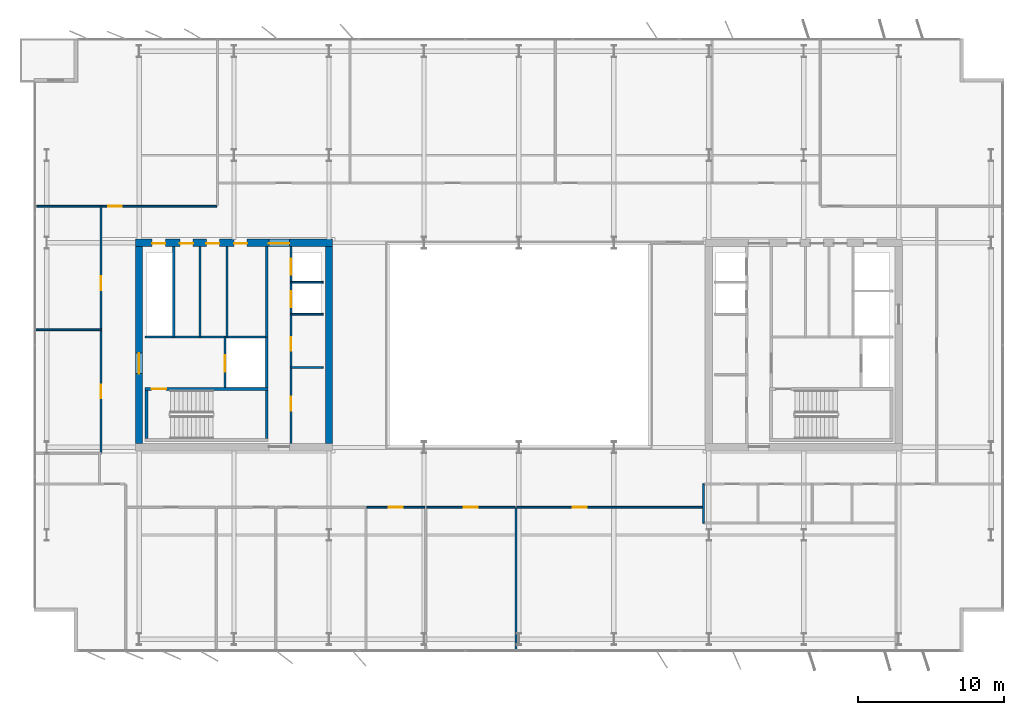
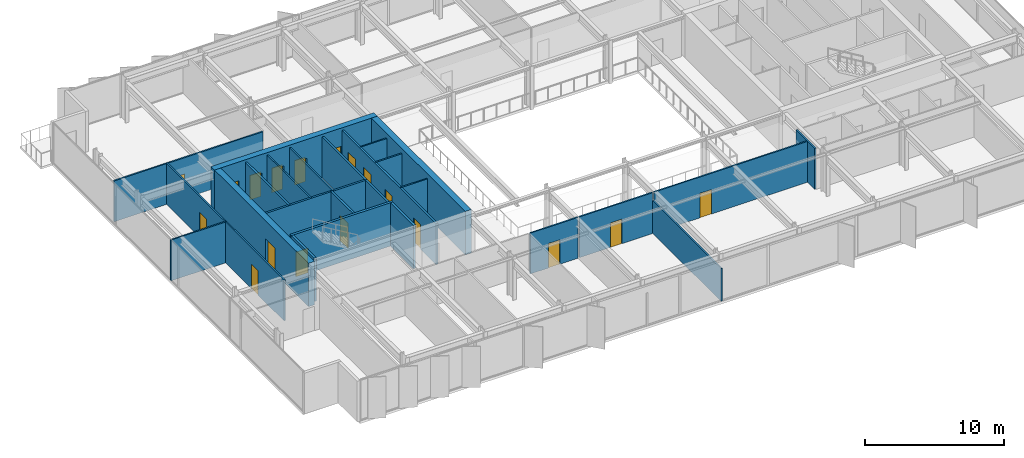
# One storey, part 17 of 23: 26 walls, 18 doors, 18 openings.
"""IFC4 building model written with IfcOpenShell, lengths in metres."""

from ifc_helpers import new_model, si_unit, direction, frame, frame_2d, origin, place, context, subcontext, project, spatial, rectangle, extrude, material, layer, layer_set, type_object, element, fill, save


model = new_model("IFC4")

# Units and contexts
model_context = context("Model", 3, precision=1e-05, world=origin(), true_north=direction((0.0, 1.0)))
body_context = subcontext(model_context, "Body", "Model", "MODEL_VIEW")
ifc_project = project(units=[si_unit("LENGTHUNIT", "METRE"), si_unit("AREAUNIT", "SQUARE_METRE"), si_unit("VOLUMEUNIT", "CUBIC_METRE"), si_unit("PLANEANGLEUNIT", "RADIAN"), si_unit("MASSUNIT", "GRAM", prefix="KILO")], contexts=[model_context])

# Site, building, storey
site_placement = place(None, origin())
site = spatial("IfcSite", under=ifc_project, at=site_placement, CompositionType="ELEMENT")
building_placement = place(site_placement, origin())
building = spatial("IfcBuilding", under=site, at=building_placement, Name="Putna Gate Headquarters", CompositionType="ELEMENT")
storey_placement = place(building_placement, frame((0.0, 0.0, 213.800048828125)))
storey = spatial("IfcBuildingStorey", under=building, at=storey_placement, Name="L53", CompositionType="ELEMENT", Elevation=213.800048828125)

# Wall, openings, doors
ifc_material_1 = material(Name="Concrete C50/60", Category="concrete")
ifc_layer_1 = layer(ifc_material_1, 0.5)
ifc_layer_set_1 = layer_set([ifc_layer_1], Name="Concrete C50/60")
wall_type_1 = type_object("IfcWallType", Name="WALL-CORE-500", PredefinedType="SHEAR", material=ifc_layer_set_1)
wall_1_placement = place(storey_placement, frame((12.75, 33.0, 0.0), z_axis=(0.0, 0.0, 1.0), x_axis=(1.0, 0.0, 0.0)))
wall_1 = element("IfcWall", 1, at=wall_1_placement, inside=storey, type_object=wall_type_1, Name="L53 WC Split Core Shear Wall N", PredefinedType="SHEAR", context=body_context, shape_type="SweptSolid", body=[
    extrude(rectangle(XDim=13.5, YDim=0.5, at=frame_2d((6.75, 0.0))), origin(), (0.0, 0.0, 1.0), 3.800048828125),
])
opening_1_placement = place(wall_1_placement, frame((1.14990234375, 0.0, 0.0)))
opening_1 = element("IfcOpeningElement", 2, at=opening_1_placement, cuts=wall_1, Name="Opening RD-90", PredefinedType="OPENING", context=body_context, shape_type="SweptSolid", body=[
    extrude(rectangle(XDim=0.89990234375, YDim=2.14990234375, at=frame_2d((0.449951171875, 1.074951171875))), frame((0.0, 0.260009765625, 0.0), z_axis=(0.0, -1.0, 0.0), x_axis=(1.0, 0.0, 0.0)), (0.0, 0.0, 1.0), 0.52001953125),
])
opening_2_placement = place(wall_1_placement, frame((3.050048828125, 0.0, 0.0)))
opening_2 = element("IfcOpeningElement", 3, at=opening_2_placement, cuts=wall_1, Name="Opening IDS-90", PredefinedType="OPENING", context=body_context, shape_type="SweptSolid", body=[
    extrude(rectangle(XDim=0.89990234375, YDim=2.14990234375, at=frame_2d((0.449951171875, 1.074951171875))), frame((0.0, 0.260009765625, 0.0), z_axis=(0.0, -1.0, 0.0), x_axis=(1.0, 0.0, 0.0)), (0.0, 0.0, 1.0), 0.52001953125),
])
opening_3_placement = place(wall_1_placement, frame((4.85009765625, 0.0, 0.0)))
opening_3 = element("IfcOpeningElement", 4, at=opening_3_placement, cuts=wall_1, Name="Opening IDS-90", PredefinedType="OPENING", context=body_context, shape_type="SweptSolid", body=[
    extrude(rectangle(XDim=0.89990234375, YDim=2.14990234375, at=frame_2d((0.449951171875, 1.074951171875))), frame((0.0, 0.260009765625, 0.0), z_axis=(0.0, -1.0, 0.0), x_axis=(1.0, 0.0, 0.0)), (0.0, 0.0, 1.0), 0.52001953125),
])
opening_4_placement = place(wall_1_placement, frame((6.75, 0.0, 0.0)))
opening_4 = element("IfcOpeningElement", 5, at=opening_4_placement, cuts=wall_1, Name="Opening IDS-90", PredefinedType="OPENING", context=body_context, shape_type="SweptSolid", body=[
    extrude(rectangle(XDim=0.89990234375, YDim=2.14990234375, at=frame_2d((0.449951171875, 1.074951171875))), frame((0.0, 0.260009765625, 0.0), z_axis=(0.0, -1.0, 0.0), x_axis=(1.0, 0.0, 0.0)), (0.0, 0.0, 1.0), 0.52001953125),
])
opening_5_placement = place(wall_1_placement, frame((9.1298828125, 0.0, 0.0)))
opening_5 = element("IfcOpeningElement", 6, at=opening_5_placement, cuts=wall_1, Name="Opening FDD-140", PredefinedType="OPENING", context=body_context, shape_type="SweptSolid", body=[
    extrude(rectangle(XDim=1.39990234375, YDim=2.199951171875, at=frame_2d((0.699951171875, 1.10009765625))), frame((0.0, 0.260009765625, 0.0), z_axis=(0.0, -1.0, 0.0), x_axis=(1.0, 0.0, 0.0)), (0.0, 0.0, 1.0), 0.52001953125),
])
ifc_material_2 = material(Name="Double steel fire door", Category="steel")
door_type_1 = type_object("IfcDoorType", Name="DOOR-FIRE-DBL-1400", OperationType="DOUBLE_DOOR_SINGLE_SWING", PredefinedType="DOOR", material=ifc_material_2)
door_1_placement = place(opening_5_placement, origin())
door_1 = element("IfcDoor", 7, at=door_1_placement, inside=storey, type_object=door_type_1, Name="L53 West Lift Lobby North Door", OperationType="DOUBLE_DOOR_SINGLE_SWING", OverallHeight=2.199951171875, OverallWidth=1.39990234375, PredefinedType="DOOR", context=body_context, shape_type="SweptSolid", body=[
    extrude(rectangle(XDim=1.39990234375, YDim=2.199951171875, at=frame_2d((0.699951171875, 1.10009765625))), frame((0.0, -0.02490234375, 0.0), z_axis=(0.0, -1.0, 0.0), x_axis=(1.0, 0.0, 0.0)), (0.0, 0.0, 1.0), 0.050048828125),
])
fill(opening_5, door_1)
ifc_material_3 = material(Name="Fire-rated utility door")
door_type_2 = type_object("IfcDoorType", Name="DOOR-INT-900", OperationType="NOTDEFINED", PredefinedType="DOOR", material=ifc_material_3)
door_2_placement = place(opening_2_placement, origin())
door_2 = element("IfcDoor", 8, at=door_2_placement, inside=storey, type_object=door_type_2, Name="L53 Janitor Cupboard Door", OperationType="SINGLE_SWING_LEFT", OverallHeight=2.14990234375, OverallWidth=0.89990234375, PredefinedType="DOOR", context=body_context, shape_type="SweptSolid", body=[
    extrude(rectangle(XDim=0.89990234375, YDim=2.14990234375, at=frame_2d((0.449951171875, 1.074951171875))), frame((0.0, -0.02490234375, 0.0), z_axis=(0.0, -1.0, 0.0), x_axis=(1.0, 0.0, 0.0)), (0.0, 0.0, 1.0), 0.050048828125),
])
fill(opening_2, door_2)
door_3_placement = place(opening_3_placement, origin())
door_3 = element("IfcDoor", 9, at=door_3_placement, inside=storey, type_object=door_type_2, Name="L53 IT Patch Plant Door", OperationType="SINGLE_SWING_RIGHT", OverallHeight=2.14990234375, OverallWidth=0.89990234375, PredefinedType="DOOR", context=body_context, shape_type="SweptSolid", body=[
    extrude(rectangle(XDim=0.89990234375, YDim=2.14990234375, at=frame_2d((0.449951171875, 1.074951171875))), frame((0.0, -0.02490234375, 0.0), z_axis=(0.0, -1.0, 0.0), x_axis=(1.0, 0.0, 0.0)), (0.0, 0.0, 1.0), 0.050048828125),
])
fill(opening_3, door_3)
door_4_placement = place(opening_4_placement, origin())
door_4 = element("IfcDoor", 10, at=door_4_placement, inside=storey, type_object=door_type_2, Name="L53 Building Records Store Door", OperationType="SINGLE_SWING_LEFT", OverallHeight=2.14990234375, OverallWidth=0.89990234375, PredefinedType="DOOR", context=body_context, shape_type="SweptSolid", body=[
    extrude(rectangle(XDim=0.89990234375, YDim=2.14990234375, at=frame_2d((0.449951171875, 1.074951171875))), frame((0.0, -0.02490234375, 0.0), z_axis=(0.0, -1.0, 0.0), x_axis=(1.0, 0.0, 0.0)), (0.0, 0.0, 1.0), 0.050048828125),
])
fill(opening_4, door_4)
ifc_material_4 = material(Name="Steel riser access fire door", Category="steel")
door_type_3 = type_object("IfcDoorType", Name="DOOR-RISER-900", OperationType="NOTDEFINED", PredefinedType="DOOR", material=ifc_material_4)
door_5_placement = place(opening_1_placement, origin())
door_5 = element("IfcDoor", 11, at=door_5_placement, inside=storey, type_object=door_type_3, Name="L53 West Riser Access Door", OperationType="SINGLE_SWING_RIGHT", OverallHeight=2.14990234375, OverallWidth=0.89990234375, PredefinedType="DOOR", context=body_context, shape_type="SweptSolid", body=[
    extrude(rectangle(XDim=0.89990234375, YDim=2.14990234375, at=frame_2d((0.449951171875, 1.074951171875))), frame((0.0, -0.02490234375, 0.0), z_axis=(0.0, -1.0, 0.0), x_axis=(1.0, 0.0, 0.0)), (0.0, 0.0, 1.0), 0.050048828125),
])
fill(opening_1, door_5)

# Wall, opening, door
wall_2_placement = place(storey_placement, frame((13.0, 19.25, 0.0), z_axis=(0.0, 0.0, 1.0), x_axis=(0.0, 1.0, 0.0)))
wall_2 = element("IfcWall", 12, at=wall_2_placement, inside=storey, type_object=wall_type_1, Name="L53 WC Split Core Shear Wall W", PredefinedType="SHEAR", context=body_context, shape_type="SweptSolid", body=[
    extrude(rectangle(XDim=13.5, YDim=0.5, at=frame_2d((6.75, 0.0))), origin(), (0.0, 0.0, 1.0), 3.800048828125),
])
opening_6_placement = place(wall_2_placement, frame((4.800048828125, 0.0, 0.0)))
opening_6 = element("IfcOpeningElement", 13, at=opening_6_placement, cuts=wall_2, Name="Opening FDD-140", PredefinedType="OPENING", context=body_context, shape_type="SweptSolid", body=[
    extrude(rectangle(XDim=1.39990234375, YDim=2.199951171875, at=frame_2d((0.699951171875, 1.10009765625))), frame((0.0, 0.260009765625, 0.0), z_axis=(0.0, -1.0, 0.0), x_axis=(1.0, 0.0, 0.0)), (0.0, 0.0, 1.0), 0.52001953125),
])
door_6_placement = place(opening_6_placement, origin())
door_6 = element("IfcDoor", 14, at=door_6_placement, inside=storey, type_object=door_type_1, Name="L53 West Firefighting Lobby Door", OperationType="DOUBLE_DOOR_SINGLE_SWING", OverallHeight=2.199951171875, OverallWidth=1.39990234375, PredefinedType="DOOR", context=body_context, shape_type="SweptSolid", body=[
    extrude(rectangle(XDim=1.39990234375, YDim=2.199951171875, at=frame_2d((0.699951171875, 1.10009765625))), frame((0.0, 0.02490234375, 0.0), z_axis=(0.0, -1.0, 0.0), x_axis=(1.0, 0.0, 0.0)), (0.0, 0.0, 1.0), 0.050048828125),
])
fill(opening_6, door_6)

# Walls
wall_3_placement = place(storey_placement, frame((26.0, 19.25, 0.0), z_axis=(0.0, 0.0, 1.0), x_axis=(0.0, 1.0, 0.0)))
element("IfcWall", 15, at=wall_3_placement, inside=storey, type_object=wall_type_1, Name="L53 WC Split Core Shear Wall E", PredefinedType="SHEAR", context=body_context, shape_type="SweptSolid", body=[
    extrude(rectangle(XDim=13.5, YDim=0.5, at=frame_2d((6.75, 0.0))), origin(), (0.0, 0.0, 1.0), 3.800048828125),
])
ifc_material_5 = material(Name="Acoustic gypsum board on metal stud")
ifc_layer_2 = layer(ifc_material_5, 0.1201171875)
ifc_layer_set_2 = layer_set([ifc_layer_2], Name="Acoustic gypsum board on metal stud")
wall_type_2 = type_object("IfcWallType", Name="WALL-PART-120", PredefinedType="PARTITIONING", material=ifc_layer_set_2)
wall_4_placement = place(storey_placement, frame((38.800048828125, 5.02001953125, 0.0), z_axis=(0.0, 0.0, 1.0), x_axis=(0.0, 1.0, 0.0)))
element("IfcWall", 16, at=wall_4_placement, inside=storey, type_object=wall_type_2, Name="L53 Interior Wall PART-L53-SB-DIV-06", PredefinedType="PARTITIONING", context=body_context, shape_type="SweptSolid", body=[
    extrude(rectangle(XDim=9.820068359375, YDim=0.1201171875, at=frame_2d((4.91015625, 0.0))), origin(), (0.0, 0.0, 1.0), 2.8798828125),
])
wall_5_placement = place(storey_placement, frame((5.820068359375, 27.050048828125, 0.0), z_axis=(0.0, 0.0, 1.0), x_axis=(1.0, 0.0, 0.0)))
element("IfcWall", 17, at=wall_5_placement, inside=storey, type_object=wall_type_2, Name="L53 Interior Wall PART-L53-WW-DIV-1", PredefinedType="PARTITIONING", context=body_context, shape_type="SweptSolid", body=[
    extrude(rectangle(XDim=4.579833984375, YDim=0.1201171875, at=frame_2d((2.2900390625, 0.0))), origin(), (0.0, 0.0, 1.0), 3.579833984375),
])
ifc_material_6 = material(Name="Fire-rated shaftwall gypsum board on metal stud")
ifc_layer_3 = layer(ifc_material_6, 0.1201171875)
ifc_layer_set_3 = layer_set([ifc_layer_3], Name="Fire-rated shaftwall gypsum board on metal stud")
wall_type_3 = type_object("IfcWallType", Name="WALL-PART-120-EI120", PredefinedType="PARTITIONING", material=ifc_layer_set_3)
wall_6_placement = place(storey_placement, frame((23.39990234375, 30.31005859375, 0.0), z_axis=(0.0, 0.0, 1.0), x_axis=(1.0, 0.0, 0.0)))
element("IfcWall", 18, at=wall_6_placement, inside=storey, type_object=wall_type_3, Name="L53 Interior Wall CWINT-L53-WC-LF09-DIV", PredefinedType="PARTITIONING", context=body_context, shape_type="SweptSolid", body=[
    extrude(rectangle(XDim=2.2001953125, YDim=0.1201171875, at=frame_2d((1.10009765625, 0.0))), origin(), (0.0, 0.0, 1.0), 3.579833984375),
])
ifc_material_7 = material(Name="Fire-rated gypsum board on metal stud")
ifc_layer_4 = layer(ifc_material_7, 0.1201171875)
ifc_layer_set_4 = layer_set([ifc_layer_4], Name="Fire-rated gypsum board on metal stud")
wall_type_4 = type_object("IfcWallType", Name="WALL-PART-120-RATED", PredefinedType="PARTITIONING", material=ifc_layer_set_4)
for number, where, z_axis, x_axis, name in (
    (19, (17.169921875, 26.56005859375, 0.0), (0.0, 0.0, 1.0), (0.0, 1.0, 0.0), "L53 Interior Wall CWINT-L53-WC-K2-D1"),
    (20, (19.02001953125, 26.56005859375, 0.0), (0.0, 0.0, 1.0), (0.0, 1.0, 0.0), "L53 Interior Wall CWINT-L53-WC-K2-D2"),
):
    element("IfcWall", number, at=place(storey_placement, frame(where, z_axis=z_axis, x_axis=x_axis)), inside=storey, type_object=wall_type_4, Name=name, PredefinedType="PARTITIONING", context=body_context, shape_type="SweptSolid", body=[
        extrude(rectangle(XDim=6.18994140625, YDim=0.1201171875, at=frame_2d((3.094970703125, 0.0))), origin(), (0.0, 0.0, 1.0), 3.579833984375),
    ])
for number, where, z_axis, x_axis, name in (
    (21, (23.39990234375, 24.469970703125, 0.0), (0.0, 0.0, 1.0), (1.0, 0.0, 0.0), "L53 Interior Wall CWINT-L53-WC-REUSE-DIV"),
    (22, (23.39990234375, 28.1201171875, 0.0), (0.0, 0.0, 1.0), (1.0, 0.0, 0.0), "L53 Interior Wall CWINT-L53-WC-LF06-DIV"),
):
    element("IfcWall", number, at=place(storey_placement, frame(where, z_axis=z_axis, x_axis=x_axis)), inside=storey, type_object=wall_type_4, Name=name, PredefinedType="PARTITIONING", context=body_context, shape_type="SweptSolid", body=[
        extrude(rectangle(XDim=2.2001953125, YDim=0.1201171875, at=frame_2d((1.10009765625, 0.0))), origin(), (0.0, 0.0, 1.0), 3.579833984375),
    ])
wall_7_placement = place(storey_placement, frame((51.639892578125, 13.820068359375, 0.0), z_axis=(0.0, 0.0, 1.0), x_axis=(0.0, 1.0, 0.0)))
element("IfcWall", 23, at=wall_7_placement, inside=storey, type_object=wall_type_4, Name="L53 Interior Wall PART-L53-SAN-DIV-1", PredefinedType="PARTITIONING", context=body_context, shape_type="SweptSolid", body=[
    extrude(rectangle(XDim=2.679931640625, YDim=0.1201171875, at=frame_2d((1.33984375, 0.0))), origin(), (0.0, 0.0, 1.0), 3.579833984375),
])

# Wall, opening, door
wall_8_placement = place(storey_placement, frame((5.97998046875, 35.5, 0.0), z_axis=(0.0, 0.0, 1.0), x_axis=(1.0, 0.0, 0.0)))
wall_8 = element("IfcWall", 24, at=wall_8_placement, inside=storey, type_object=wall_type_4, Name="L53 Interior Wall PART-L53-NB-CW-01", PredefinedType="PARTITIONING", context=body_context, shape_type="SweptSolid", body=[
    extrude(rectangle(XDim=12.3291015625, YDim=0.1201171875, at=frame_2d((6.16455078125, 0.0))), origin(), (0.0, 0.0, 1.0), 3.579833984375),
])
opening_7_placement = place(wall_8_placement, frame((4.89990234375, 0.0, 0.0)))
opening_7 = element("IfcOpeningElement", 25, at=opening_7_placement, cuts=wall_8, Name="Opening FD-95", PredefinedType="OPENING", context=body_context, shape_type="SweptSolid", body=[
    extrude(rectangle(XDim=0.949951171875, YDim=2.14990234375, at=frame_2d((0.47509765625, 1.074951171875))), frame((0.0, 0.070068359375, 0.0), z_axis=(0.0, -1.0, 0.0), x_axis=(1.0, 0.0, 0.0)), (0.0, 0.0, 1.0), 0.14013671875),
])
ifc_material_8 = material(Name="Acoustic timber fire door", Category="wood")
door_type_4 = type_object("IfcDoorType", Name="DOOR-FIRE-950", OperationType="NOTDEFINED", PredefinedType="DOOR", material=ifc_material_8)
door_7_placement = place(opening_7_placement, origin())
door_7 = element("IfcDoor", 26, at=door_7_placement, inside=storey, type_object=door_type_4, Name="L53 Collaborative Breakout Lounge 1 Door", OperationType="SINGLE_SWING_RIGHT", OverallHeight=2.14990234375, OverallWidth=0.949951171875, PredefinedType="DOOR", context=body_context, shape_type="SweptSolid", body=[
    extrude(rectangle(XDim=0.949951171875, YDim=2.14990234375, at=frame_2d((0.47509765625, 1.074951171875))), frame((0.0, 0.02490234375, 0.0), z_axis=(0.0, -1.0, 0.0), x_axis=(1.0, 0.0, 0.0)), (0.0, 0.0, 1.0), 0.050048828125),
])
fill(opening_7, door_7)

wall_9_placement = place(storey_placement, frame((28.59912109375, 14.89990234375, 0.0), z_axis=(0.0, 0.0, 1.0), x_axis=(1.0, 0.0, 0.0)))
wall_9 = element("IfcWall", 27, at=wall_9_placement, inside=storey, type_object=wall_type_4, Name="L53 Interior Wall PART-L53-SB-CW-05", PredefinedType="PARTITIONING", context=body_context, shape_type="SweptSolid", body=[
    extrude(rectangle(XDim=3.9541015625, YDim=0.1201171875, at=frame_2d((1.97705078125, 0.0))), origin(), (0.0, 0.0, 1.0), 3.579833984375),
])
opening_8_placement = place(wall_9_placement, frame((1.502197265625, 0.0, 0.0)))
opening_8 = element("IfcOpeningElement", 28, at=opening_8_placement, cuts=wall_9, Name="Opening FD-95", PredefinedType="OPENING", context=body_context, shape_type="SweptSolid", body=[
    extrude(rectangle(XDim=0.949951171875, YDim=2.14990234375, at=frame_2d((0.47509765625, 1.074951171875))), frame((0.0, 0.070068359375, 0.0), z_axis=(0.0, -1.0, 0.0), x_axis=(1.0, 0.0, 0.0)), (0.0, 0.0, 1.0), 0.14013671875),
])
door_8_placement = place(opening_8_placement, origin())
door_8 = element("IfcDoor", 29, at=door_8_placement, inside=storey, type_object=door_type_4, Name="L53 Conference Meeting Room 3 Door", OperationType="SINGLE_SWING_RIGHT", OverallHeight=2.14990234375, OverallWidth=0.949951171875, PredefinedType="DOOR", context=body_context, shape_type="SweptSolid", body=[
    extrude(rectangle(XDim=0.949951171875, YDim=2.14990234375, at=frame_2d((0.47509765625, 1.074951171875))), frame((0.0, 0.02490234375, 0.0), z_axis=(0.0, -1.0, 0.0), x_axis=(1.0, 0.0, 0.0)), (0.0, 0.0, 1.0), 0.050048828125),
])
fill(opening_8, door_8)

wall_10_placement = place(storey_placement, frame((32.673095703125, 14.89990234375, 0.0), z_axis=(0.0, 0.0, 1.0), x_axis=(1.0, 0.0, 0.0)))
wall_10 = element("IfcWall", 30, at=wall_10_placement, inside=storey, type_object=wall_type_4, Name="L53 Interior Wall PART-L53-SB-CW-06", PredefinedType="PARTITIONING", context=body_context, shape_type="SweptSolid", body=[
    extrude(rectangle(XDim=6.06689453125, YDim=0.1201171875, at=frame_2d((3.033447265625, 0.0))), origin(), (0.0, 0.0, 1.0), 3.579833984375),
])
opening_9_placement = place(wall_10_placement, frame((2.558349609375, 0.0, 0.0)))
opening_9 = element("IfcOpeningElement", 31, at=opening_9_placement, cuts=wall_10, Name="Opening FD-95", PredefinedType="OPENING", context=body_context, shape_type="SweptSolid", body=[
    extrude(rectangle(XDim=0.949951171875, YDim=2.14990234375, at=frame_2d((0.47509765625, 1.074951171875))), frame((0.0, 0.070068359375, 0.0), z_axis=(0.0, -1.0, 0.0), x_axis=(1.0, 0.0, 0.0)), (0.0, 0.0, 1.0), 0.14013671875),
])
door_9_placement = place(opening_9_placement, origin())
door_9 = element("IfcDoor", 32, at=door_9_placement, inside=storey, type_object=door_type_4, Name="L53 Conference Meeting Room 4 Door", OperationType="SINGLE_SWING_LEFT", OverallHeight=2.14990234375, OverallWidth=0.949951171875, PredefinedType="DOOR", context=body_context, shape_type="SweptSolid", body=[
    extrude(rectangle(XDim=0.949951171875, YDim=2.14990234375, at=frame_2d((0.47509765625, 1.074951171875))), frame((0.0, 0.02490234375, 0.0), z_axis=(0.0, -1.0, 0.0), x_axis=(1.0, 0.0, 0.0)), (0.0, 0.0, 1.0), 0.050048828125),
])
fill(opening_9, door_9)

wall_11_placement = place(storey_placement, frame((38.860107421875, 14.89990234375, 0.0), z_axis=(0.0, 0.0, 1.0), x_axis=(1.0, 0.0, 0.0)))
wall_11 = element("IfcWall", 33, at=wall_11_placement, inside=storey, type_object=wall_type_4, Name="L53 Interior Wall PART-L53-SB-CW-07", PredefinedType="PARTITIONING", context=body_context, shape_type="SweptSolid", body=[
    extrude(rectangle(XDim=12.719970703125, YDim=0.1201171875, at=frame_2d((6.35986328125, 0.0))), origin(), (0.0, 0.0, 1.0), 3.579833984375),
])
opening_10_placement = place(wall_11_placement, frame((3.81591796875, 0.0, 0.0)))
opening_10 = element("IfcOpeningElement", 34, at=opening_10_placement, cuts=wall_11, Name="Opening FD-95", PredefinedType="OPENING", context=body_context, shape_type="SweptSolid", body=[
    extrude(rectangle(XDim=0.949951171875, YDim=2.14990234375, at=frame_2d((0.47509765625, 1.074951171875))), frame((0.0, 0.070068359375, 0.0), z_axis=(0.0, -1.0, 0.0), x_axis=(1.0, 0.0, 0.0)), (0.0, 0.0, 1.0), 0.14013671875),
])
door_10_placement = place(opening_10_placement, origin())
door_10 = element("IfcDoor", 35, at=door_10_placement, inside=storey, type_object=door_type_4, Name="L53 Primary Open Office Workplace Door", OperationType="SINGLE_SWING_RIGHT", OverallHeight=2.14990234375, OverallWidth=0.949951171875, PredefinedType="DOOR", context=body_context, shape_type="SweptSolid", body=[
    extrude(rectangle(XDim=0.949951171875, YDim=2.14990234375, at=frame_2d((0.47509765625, 1.074951171875))), frame((0.0, 0.02490234375, 0.0), z_axis=(0.0, -1.0, 0.0), x_axis=(1.0, 0.0, 0.0)), (0.0, 0.0, 1.0), 0.050048828125),
])
fill(opening_10, door_10)

wall_12_placement = place(storey_placement, frame((10.39990234375, 18.60009765625, 0.0), z_axis=(0.0, 0.0, 1.0), x_axis=(0.0, 1.0, 0.0)))
wall_12 = element("IfcWall", 36, at=wall_12_placement, inside=storey, type_object=wall_type_4, Name="L53 Interior Wall PART-L53-WW-CW-1", PredefinedType="PARTITIONING", context=body_context, shape_type="SweptSolid", body=[
    extrude(rectangle(XDim=8.449951171875, YDim=0.1201171875, at=frame_2d((4.22509765625, 0.0))), origin(), (0.0, 0.0, 1.0), 3.579833984375),
])
opening_11_placement = place(wall_12_placement, frame((3.75, 0.0, 0.0)))
opening_11 = element("IfcOpeningElement", 37, at=opening_11_placement, cuts=wall_12, Name="Opening FD-95", PredefinedType="OPENING", context=body_context, shape_type="SweptSolid", body=[
    extrude(rectangle(XDim=0.949951171875, YDim=2.14990234375, at=frame_2d((0.47509765625, 1.074951171875))), frame((0.0, 0.070068359375, 0.0), z_axis=(0.0, -1.0, 0.0), x_axis=(1.0, 0.0, 0.0)), (0.0, 0.0, 1.0), 0.14013671875),
])
door_11_placement = place(opening_11_placement, origin())
door_11 = element("IfcDoor", 38, at=door_11_placement, inside=storey, type_object=door_type_4, Name="L53 West Executive Office 1 Door", OperationType="SINGLE_SWING_RIGHT", OverallHeight=2.14990234375, OverallWidth=0.949951171875, PredefinedType="DOOR", context=body_context, shape_type="SweptSolid", body=[
    extrude(rectangle(XDim=0.949951171875, YDim=2.14990234375, at=frame_2d((0.47509765625, 1.074951171875))), frame((0.0, 0.02490234375, 0.0), z_axis=(0.0, -1.0, 0.0), x_axis=(1.0, 0.0, 0.0)), (0.0, 0.0, 1.0), 0.050048828125),
])
fill(opening_11, door_11)

wall_13_placement = place(storey_placement, frame((10.39990234375, 27.050048828125, 0.0), z_axis=(0.0, 0.0, 1.0), x_axis=(0.0, 1.0, 0.0)))
wall_13 = element("IfcWall", 39, at=wall_13_placement, inside=storey, type_object=wall_type_4, Name="L53 Interior Wall PART-L53-WW-CW-2", PredefinedType="PARTITIONING", context=body_context, shape_type="SweptSolid", body=[
    extrude(rectangle(XDim=8.449951171875, YDim=0.1201171875, at=frame_2d((4.22509765625, 0.0))), origin(), (0.0, 0.0, 1.0), 3.579833984375),
])
opening_12_placement = place(wall_13_placement, frame((2.699951171875, 0.0, 0.0)))
opening_12 = element("IfcOpeningElement", 40, at=opening_12_placement, cuts=wall_13, Name="Opening FD-95", PredefinedType="OPENING", context=body_context, shape_type="SweptSolid", body=[
    extrude(rectangle(XDim=0.949951171875, YDim=2.14990234375, at=frame_2d((0.47509765625, 1.074951171875))), frame((0.0, 0.070068359375, 0.0), z_axis=(0.0, -1.0, 0.0), x_axis=(1.0, 0.0, 0.0)), (0.0, 0.0, 1.0), 0.14013671875),
])
door_12_placement = place(opening_12_placement, origin())
door_12 = element("IfcDoor", 41, at=door_12_placement, inside=storey, type_object=door_type_4, Name="L53 West Executive Office 2 Door", OperationType="SINGLE_SWING_LEFT", OverallHeight=2.14990234375, OverallWidth=0.949951171875, PredefinedType="DOOR", context=body_context, shape_type="SweptSolid", body=[
    extrude(rectangle(XDim=0.949951171875, YDim=2.14990234375, at=frame_2d((0.47509765625, 1.074951171875))), frame((0.0, 0.02490234375, 0.0), z_axis=(0.0, -1.0, 0.0), x_axis=(1.0, 0.0, 0.0)), (0.0, 0.0, 1.0), 0.050048828125),
])
fill(opening_12, door_12)

# Wall
ifc_material_9 = material(Name="Concrete C40/50", Category="concrete")
ifc_layer_5 = layer(ifc_material_9, 0.159912109375)
ifc_layer_set_5 = layer_set([ifc_layer_5], Name="Concrete C40/50")
wall_type_5 = type_object("IfcWallType", Name="WALL-SHAFT-160", PredefinedType="STANDARD", material=ifc_layer_set_5)
wall_14_placement = place(storey_placement, frame((21.739990234375, 23.090087890625, 0.0), z_axis=(0.0, 0.0, 1.0), x_axis=(0.0, 1.0, 0.0)))
element("IfcWall", 42, at=wall_14_placement, inside=storey, type_object=wall_type_5, Name="L53 Interior Wall CWINT-L53-WC-FFL-E", PredefinedType="STANDARD", context=body_context, shape_type="SweptSolid", body=[
    extrude(rectangle(XDim=3.469970703125, YDim=0.159912109375, at=frame_2d((1.73486328125, 0.0))), origin(), (0.0, 0.0, 1.0), 3.579833984375),
])

# Wall, opening, door
wall_15_placement = place(storey_placement, frame((18.8798828125, 23.090087890625, 0.0), z_axis=(0.0, 0.0, 1.0), x_axis=(0.0, 1.0, 0.0)))
wall_15 = element("IfcWall", 43, at=wall_15_placement, inside=storey, type_object=wall_type_5, Name="L53 Interior Wall CWINT-L53-WC-LF13-W", PredefinedType="STANDARD", context=body_context, shape_type="SweptSolid", body=[
    extrude(rectangle(XDim=3.469970703125, YDim=0.159912109375, at=frame_2d((1.73486328125, 0.0))), origin(), (0.0, 0.0, 1.0), 3.579833984375),
])
opening_13_placement = place(wall_15_placement, frame((1.10009765625, 0.0, 0.0)))
opening_13 = element("IfcOpeningElement", 44, at=opening_13_placement, cuts=wall_15, Name="Opening LD-1", PredefinedType="OPENING", context=body_context, shape_type="SweptSolid", body=[
    extrude(rectangle(XDim=1.10009765625, YDim=2.199951171875, at=frame_2d((0.550048828125, 1.10009765625))), frame((0.0, 0.08984375, 0.0), z_axis=(0.0, -1.0, 0.0), x_axis=(1.0, 0.0, 0.0)), (0.0, 0.0, 1.0), 0.179931640625),
])
ifc_material_10 = material(Name="Brushed bronze stainless lift landing door")
door_type_5 = type_object("IfcDoorType", Name="DOOR-LIFT-1100", OperationType="DOUBLE_DOOR_SLIDING", PredefinedType="DOOR", material=ifc_material_10)
door_13_placement = place(opening_13_placement, origin())
door_13 = element("IfcDoor", 45, at=door_13_placement, inside=storey, type_object=door_type_5, Name="L53 Lift Landing Door LD-13", OperationType="DOUBLE_DOOR_SLIDING", OverallHeight=2.199951171875, OverallWidth=1.10009765625, PredefinedType="DOOR", context=body_context, shape_type="SweptSolid", body=[
    extrude(rectangle(XDim=1.10009765625, YDim=2.199951171875, at=frame_2d((0.550048828125, 1.10009765625))), frame((0.0, 0.02490234375, 0.0), z_axis=(0.0, -1.0, 0.0), x_axis=(1.0, 0.0, 0.0)), (0.0, 0.0, 1.0), 0.050048828125),
])
fill(opening_13, door_13)

# Walls
wall_16_placement = place(storey_placement, frame((13.39990234375, 26.56005859375, 0.0), z_axis=(0.0, 0.0, 1.0), x_axis=(1.0, 0.0, 0.0)))
element("IfcWall", 46, at=wall_16_placement, inside=storey, type_object=wall_type_5, Name="L53 Interior Wall CWINT-L53-WC-FFL-N", PredefinedType="STANDARD", context=body_context, shape_type="SweptSolid", body=[
    extrude(rectangle(XDim=8.340087890625, YDim=0.159912109375, at=frame_2d((4.169921875, 0.0))), origin(), (0.0, 0.0, 1.0), 3.579833984375),
])
for number, where, z_axis, x_axis, name in (
    (47, (15.3798828125, 26.56005859375, 0.0), (0.0, 0.0, 1.0), (0.0, 1.0, 0.0), "L53 Interior Wall CWINT-L53-WC-RISER-E"),
    (48, (21.739990234375, 26.56005859375, 0.0), (0.0, 0.0, 1.0), (0.0, 1.0, 0.0), "L53 Interior Wall CWINT-L53-WC-LOB-W"),
):
    element("IfcWall", number, at=place(storey_placement, frame(where, z_axis=z_axis, x_axis=x_axis)), inside=storey, type_object=wall_type_5, Name=name, PredefinedType="STANDARD", context=body_context, shape_type="SweptSolid", body=[
        extrude(rectangle(XDim=6.18994140625, YDim=0.159912109375, at=frame_2d((3.094970703125, 0.0))), origin(), (0.0, 0.0, 1.0), 3.579833984375),
    ])

# Wall, openings, doors
wall_17_placement = place(storey_placement, frame((23.39990234375, 19.25, 0.0), z_axis=(0.0, 0.0, 1.0), x_axis=(0.0, 1.0, 0.0)))
wall_17 = element("IfcWall", 49, at=wall_17_placement, inside=storey, type_object=wall_type_5, Name="L53 Interior Wall CWINT-L53-WC-PL-WALL", PredefinedType="STANDARD", context=body_context, shape_type="SweptSolid", body=[
    extrude(rectangle(XDim=13.5, YDim=0.159912109375, at=frame_2d((6.75, 0.0))), origin(), (0.0, 0.0, 1.0), 3.579833984375),
])
opening_14_placement = place(wall_17_placement, frame((2.25, 0.0, 0.0)))
opening_14 = element("IfcOpeningElement", 50, at=opening_14_placement, cuts=wall_17, Name="Opening IDS-95", PredefinedType="OPENING", context=body_context, shape_type="SweptSolid", body=[
    extrude(rectangle(XDim=0.949951171875, YDim=2.14990234375, at=frame_2d((0.47509765625, 1.074951171875))), frame((0.0, 0.08984375, 0.0), z_axis=(0.0, -1.0, 0.0), x_axis=(1.0, 0.0, 0.0)), (0.0, 0.0, 1.0), 0.179931640625),
])
opening_15_placement = place(wall_17_placement, frame((6.35009765625, 0.0, 0.0)))
opening_15 = element("IfcOpeningElement", 51, at=opening_15_placement, cuts=wall_17, Name="Opening IDS-95", PredefinedType="OPENING", context=body_context, shape_type="SweptSolid", body=[
    extrude(rectangle(XDim=0.949951171875, YDim=2.14990234375, at=frame_2d((0.47509765625, 1.074951171875))), frame((0.0, 0.08984375, 0.0), z_axis=(0.0, -1.0, 0.0), x_axis=(1.0, 0.0, 0.0)), (0.0, 0.0, 1.0), 0.179931640625),
])
opening_16_placement = place(wall_17_placement, frame((9.35009765625, 0.0, 0.0)))
opening_16 = element("IfcOpeningElement", 52, at=opening_16_placement, cuts=wall_17, Name="Opening LD-1", PredefinedType="OPENING", context=body_context, shape_type="SweptSolid", body=[
    extrude(rectangle(XDim=1.10009765625, YDim=2.199951171875, at=frame_2d((0.550048828125, 1.10009765625))), frame((0.0, 0.08984375, 0.0), z_axis=(0.0, -1.0, 0.0), x_axis=(1.0, 0.0, 0.0)), (0.0, 0.0, 1.0), 0.179931640625),
])
opening_17_placement = place(wall_17_placement, frame((11.550048828125, 0.0, 0.0)))
opening_17 = element("IfcOpeningElement", 53, at=opening_17_placement, cuts=wall_17, Name="Opening LD-1", PredefinedType="OPENING", context=body_context, shape_type="SweptSolid", body=[
    extrude(rectangle(XDim=1.10009765625, YDim=2.199951171875, at=frame_2d((0.550048828125, 1.10009765625))), frame((0.0, 0.08984375, 0.0), z_axis=(0.0, -1.0, 0.0), x_axis=(1.0, 0.0, 0.0)), (0.0, 0.0, 1.0), 0.179931640625),
])
ifc_material_11 = material(Name="Fire-rated service timber door", Category="wood")
door_type_6 = type_object("IfcDoorType", Name="DOOR-INT-950", OperationType="NOTDEFINED", PredefinedType="DOOR", material=ifc_material_11)
door_14_placement = place(opening_14_placement, origin())
door_14 = element("IfcDoor", 54, at=door_14_placement, inside=storey, type_object=door_type_6, Name="L53 Tenant IT Hub Door", OperationType="SINGLE_SWING_LEFT", OverallHeight=2.14990234375, OverallWidth=0.949951171875, PredefinedType="DOOR", context=body_context, shape_type="SweptSolid", body=[
    extrude(rectangle(XDim=0.949951171875, YDim=2.14990234375, at=frame_2d((0.47509765625, 1.074951171875))), frame((0.0, 0.02490234375, 0.0), z_axis=(0.0, -1.0, 0.0), x_axis=(1.0, 0.0, 0.0)), (0.0, 0.0, 1.0), 0.050048828125),
])
fill(opening_14, door_14)
door_15_placement = place(opening_15_placement, origin())
door_15 = element("IfcDoor", 55, at=door_15_placement, inside=storey, type_object=door_type_6, Name="L53 Records Vault Door", OperationType="SINGLE_SWING_RIGHT", OverallHeight=2.14990234375, OverallWidth=0.949951171875, PredefinedType="DOOR", context=body_context, shape_type="SweptSolid", body=[
    extrude(rectangle(XDim=0.949951171875, YDim=2.14990234375, at=frame_2d((0.47509765625, 1.074951171875))), frame((0.0, 0.02490234375, 0.0), z_axis=(0.0, -1.0, 0.0), x_axis=(1.0, 0.0, 0.0)), (0.0, 0.0, 1.0), 0.050048828125),
])
fill(opening_15, door_15)
door_16_placement = place(opening_16_placement, origin())
door_16 = element("IfcDoor", 56, at=door_16_placement, inside=storey, type_object=door_type_5, Name="L53 Lift Landing Door LD-09", OperationType="DOUBLE_DOOR_SLIDING", OverallHeight=2.199951171875, OverallWidth=1.10009765625, PredefinedType="DOOR", context=body_context, shape_type="SweptSolid", body=[
    extrude(rectangle(XDim=1.10009765625, YDim=2.199951171875, at=frame_2d((0.550048828125, 1.10009765625))), frame((0.0, 0.02490234375, 0.0), z_axis=(0.0, -1.0, 0.0), x_axis=(1.0, 0.0, 0.0)), (0.0, 0.0, 1.0), 0.050048828125),
])
fill(opening_16, door_16)
door_17_placement = place(opening_17_placement, origin())
door_17 = element("IfcDoor", 57, at=door_17_placement, inside=storey, type_object=door_type_5, Name="L53 Lift Landing Door LD-10", OperationType="DOUBLE_DOOR_SLIDING", OverallHeight=2.199951171875, OverallWidth=1.10009765625, PredefinedType="DOOR", context=body_context, shape_type="SweptSolid", body=[
    extrude(rectangle(XDim=1.10009765625, YDim=2.199951171875, at=frame_2d((0.550048828125, 1.10009765625))), frame((0.0, 0.02490234375, 0.0), z_axis=(0.0, -1.0, 0.0), x_axis=(1.0, 0.0, 0.0)), (0.0, 0.0, 1.0), 0.050048828125),
])
fill(opening_17, door_17)

# Wall, opening, door
ifc_layer_6 = layer(ifc_material_9, 0.199951171875)
ifc_layer_set_6 = layer_set([ifc_layer_6], Name="Concrete C40/50")
wall_type_6 = type_object("IfcWallType", Name="WALL-SHAFT-RC200", PredefinedType="SHEAR", material=ifc_layer_set_6)
wall_18_placement = place(storey_placement, frame((13.409912109375, 22.989990234375, 0.0), z_axis=(0.0, 0.0, 1.0), x_axis=(1.0, 0.0, 0.0)))
wall_18 = element("IfcWall", 58, at=wall_18_placement, inside=storey, type_object=wall_type_6, Name="L53 Stair ST1 Structural Shaft Wall N", PredefinedType="SHEAR", context=body_context, shape_type="SweptSolid", body=[
    extrude(rectangle(XDim=8.43017578125, YDim=0.199951171875, at=frame_2d((4.215087890625, 0.0))), origin(), (0.0, 0.0, 1.0), 3.800048828125),
])
opening_18_placement = place(wall_18_placement, frame((0.449951171875, 0.0, 0.0)))
opening_18 = element("IfcOpeningElement", 59, at=opening_18_placement, cuts=wall_18, Name="Opening FD-100", PredefinedType="OPENING", context=body_context, shape_type="SweptSolid", body=[
    extrude(rectangle(XDim=1.0, YDim=2.14990234375, at=frame_2d((0.5, 1.074951171875))), frame((0.0, 0.10986328125, 0.0), z_axis=(0.0, -1.0, 0.0), x_axis=(1.0, 0.0, 0.0)), (0.0, 0.0, 1.0), 0.219970703125),
])
ifc_material_12 = material(Name="Powder-coated steel fire door", Category="steel")
door_type_7 = type_object("IfcDoorType", Name="DOOR-FIRE-1000", OperationType="NOTDEFINED", PredefinedType="DOOR", material=ifc_material_12)
door_18_placement = place(opening_18_placement, origin())
door_18 = element("IfcDoor", 60, at=door_18_placement, inside=storey, type_object=door_type_7, Name="L53 Stair ST1 Fire Door", OperationType="SINGLE_SWING_LEFT", OverallHeight=2.14990234375, OverallWidth=1.0, PredefinedType="DOOR", context=body_context, shape_type="SweptSolid", body=[
    extrude(rectangle(XDim=1.0, YDim=2.14990234375, at=frame_2d((0.5, 1.074951171875))), frame((0.0, 0.02490234375, 0.0), z_axis=(0.0, -1.0, 0.0), x_axis=(1.0, 0.0, 0.0)), (0.0, 0.0, 1.0), 0.050048828125),
])
fill(opening_18, door_18)

# Walls
for number, where, z_axis, x_axis, name in (
    (61, (13.510009765625, 19.610107421875, 0.0), (0.0, 0.0, 1.0), (0.0, 1.0, 0.0), "L53 Stair ST1 Structural Shaft Wall W"),
    (62, (21.739990234375, 19.610107421875, 0.0), (0.0, 0.0, 1.0), (0.0, 1.0, 0.0), "L53 Stair ST1 Structural Shaft Wall E"),
):
    element("IfcWall", number, at=place(storey_placement, frame(where, z_axis=z_axis, x_axis=x_axis)), inside=storey, type_object=wall_type_6, Name=name, PredefinedType="SHEAR", context=body_context, shape_type="SweptSolid", body=[
        extrude(rectangle(XDim=3.27978515625, YDim=0.199951171875, at=frame_2d((1.639892578125, 0.0))), origin(), (0.0, 0.0, 1.0), 3.800048828125),
    ])

save(model, "model.ifc")
